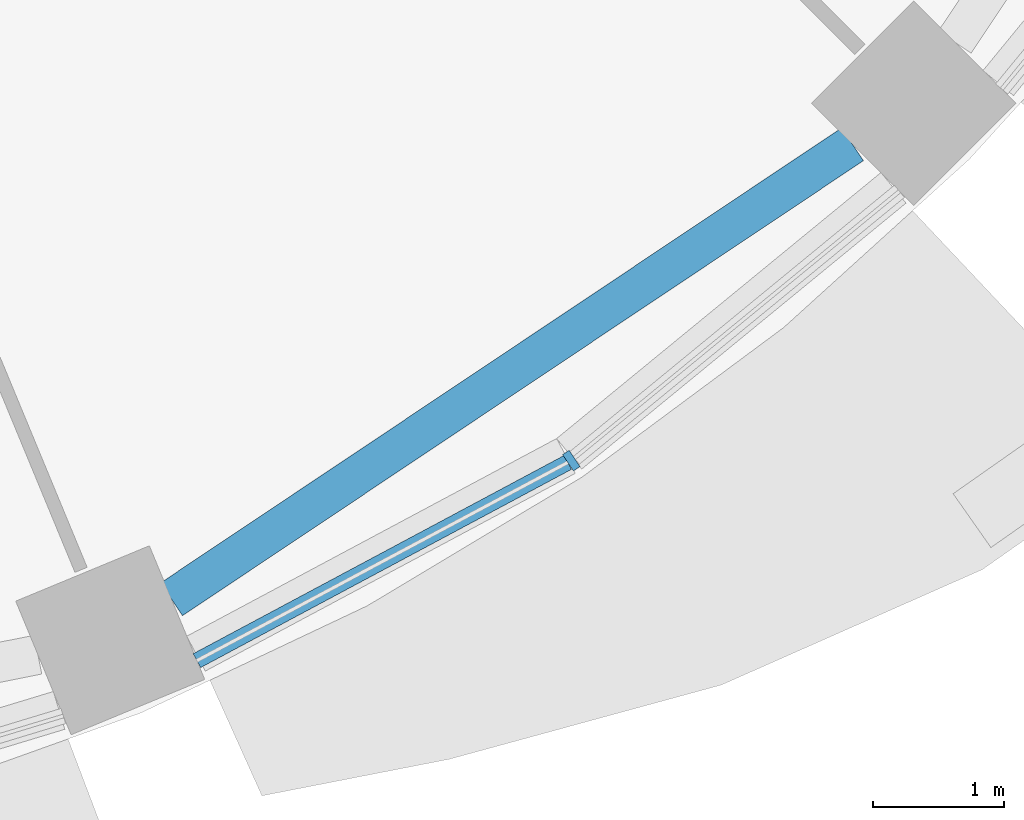
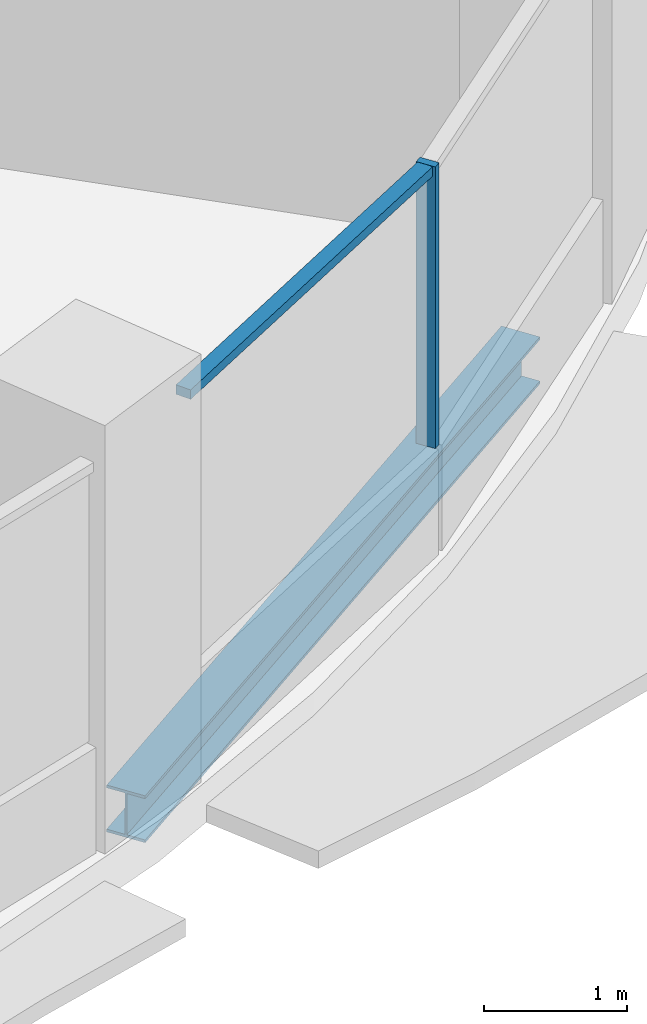
# One storey, part 3 of 15: 2 members, 1 beam, 1 element without a shape of its own.
"""IFC4 building model written with IfcOpenShell, lengths in metres."""

import ifcopenshell
import ifcopenshell.guid

model = None  # the IFC model being written
_history = None  # IfcOwnerHistory: only IFC2X3 demands one
_inside = {}  # id of a spatial element -> (the spatial element, [elements in it])
_under = {}  # id of a project, library or spatial element -> (it, [spatial elements below it])
_declared = {}  # id of a project -> (the project, [libraries it declares])
_typed = {}  # id of a type object -> (the type object, [elements of that type])
_made_of = {}  # id of a material, layer set ... -> (it, [elements and type objects made of it])


def new_model(schema):
    """Start an empty IFC model of exactly this schema.

    Asked for "IFC4X3", IfcOpenShell would pick the latest addendum, in which some entities
    have other attributes; the version numbers below select the first issue.
    IFC2X3 requires an IfcOwnerHistory on every rooted entity: one is made here for all.
    """
    global model, _history
    if schema == "IFC4X3":
        model = ifcopenshell.file(schema_version=(4, 3, 0, 0))
    else:
        model = ifcopenshell.file(schema=schema)
    _inside.clear()
    _under.clear()
    _declared.clear()
    _typed.clear()
    _made_of.clear()
    _history = None
    if model.schema == "IFC2X3":
        org = make("IfcOrganization", Name="unknown")
        user = make(
            "IfcPersonAndOrganization",
            ThePerson=make("IfcPerson", FamilyName="unknown"),
            TheOrganization=org,
        )
        app = make(
            "IfcApplication",
            ApplicationDeveloper=org,
            Version="unknown",
            ApplicationFullName="unknown",
            ApplicationIdentifier="unknown",
        )
        _history = make(
            "IfcOwnerHistory",
            OwningUser=user,
            OwningApplication=app,
            ChangeAction="ADDED",
            CreationDate=0,
        )
    return model


def make(cls, **values):
    """One entity of the class cls with the attributes given. An attribute that is None is left unset."""
    return model.create_entity(
        cls, **{name: value for name, value in values.items() if value is not None}
    )


def rooted(cls, **values):
    """An entity with a GlobalId (a new one), such as an element, a storey or a relation."""
    return make(cls, GlobalId=ifcopenshell.guid.new(), OwnerHistory=_history, **values)


def si_unit(unit_type, name, prefix=None):
    """IfcSIUnit, for example si_unit("LENGTHUNIT", "METRE", prefix="MILLI")."""
    return make("IfcSIUnit", UnitType=unit_type, Prefix=prefix, Name=name)


def assignment(units):
    """IfcUnitAssignment: the units of a project."""
    return None if units is None else make("IfcUnitAssignment", Units=units)


def point(xyz):
    """IfcCartesianPoint."""
    return None if xyz is None else make("IfcCartesianPoint", Coordinates=xyz)


def direction(xyz):
    """IfcDirection."""
    return None if xyz is None else make("IfcDirection", DirectionRatios=xyz)


def frame(location, z_axis=None, x_axis=None):
    """IfcAxis2Placement3D, a coordinate frame: its origin and axes. An axis left out is left unset."""
    return make(
        "IfcAxis2Placement3D",
        Location=point(location),
        Axis=direction(z_axis),
        RefDirection=direction(x_axis),
    )


def frame_2d(location, x_axis=None):
    """IfcAxis2Placement2D, a coordinate frame in the plane: its origin and x axis."""
    return make(
        "IfcAxis2Placement2D", Location=point(location), RefDirection=direction(x_axis)
    )


def origin():
    """The frame at (0, 0, 0) with its axes left unset."""
    return frame((0.0, 0.0, 0.0))


def origin_2d():
    """The frame at (0, 0) in the plane with its x axis left unset."""
    return frame_2d((0.0, 0.0))


def place(relative_to, where):
    """IfcLocalPlacement: puts the frame where relative to a parent placement (None: the world)."""
    return make(
        "IfcLocalPlacement", PlacementRelTo=relative_to, RelativePlacement=where
    )


def context(
    kind, dimensions, precision=None, world=None, true_north=None, identifier=None
):
    """IfcGeometricRepresentationContext, for example the 3D "Model" context."""
    return make(
        "IfcGeometricRepresentationContext",
        ContextIdentifier=identifier,
        ContextType=kind,
        CoordinateSpaceDimension=dimensions,
        Precision=precision,
        WorldCoordinateSystem=world,
        TrueNorth=true_north,
    )


def subcontext(parent, identifier, kind, view, scale=None):
    """IfcGeometricRepresentationSubContext, for example "Body" below "Model"."""
    return make(
        "IfcGeometricRepresentationSubContext",
        ContextIdentifier=identifier,
        ContextType=kind,
        ParentContext=parent,
        TargetScale=scale,
        TargetView=view,
    )


def project(units=None, contexts=None):
    """IfcProject with its units and contexts."""
    return rooted(
        "IfcProject",
        Name="project",
        RepresentationContexts=contexts,
        UnitsInContext=assignment(units),
    )


def spatial(cls, under=None, at=None, **own):
    """A site, building, storey or space (cls), placed at a placement, below another one or the project."""
    s = rooted(cls, ObjectPlacement=at, **own)
    if under is not None:
        _under.setdefault(under.id(), (under, []))[1].append(s)
    return s


def profile(cls, at=None, kind="AREA", **sizes):
    """A parametric profile (cls). Its sizes go by their IFC names, for example OverallWidth=200.0."""
    return make(cls, ProfileType=kind, Position=at, **sizes)


def rectangle(**sizes):
    """IfcRectangleProfileDef."""
    return profile("IfcRectangleProfileDef", **sizes)


def i_section(**sizes):
    """IfcIShapeProfileDef."""
    return profile("IfcIShapeProfileDef", **sizes)


def extrude(swept, where, along, depth):
    """IfcExtrudedAreaSolid: the profile swept, set in the frame where, extruded along a direction by depth."""
    return make(
        "IfcExtrudedAreaSolid",
        SweptArea=swept,
        Position=where,
        ExtrudedDirection=direction(along),
        Depth=depth,
    )


def shape(context_of_items, identifier, shape_type, items):
    """IfcShapeRepresentation: the items that make up one representation, for example the "Body"."""
    return make(
        "IfcShapeRepresentation",
        ContextOfItems=context_of_items,
        RepresentationIdentifier=identifier,
        RepresentationType=shape_type,
        Items=items,
    )


def material(Name=None, Category=None):
    """IfcMaterial."""
    return make("IfcMaterial", Name=Name, Category=Category)


def material_profile(
    of_material, cross_section, Name=None, Category=None, Priority=None
):
    """IfcMaterialProfile: a cross section and its material."""
    return make(
        "IfcMaterialProfile",
        Name=Name,
        Material=of_material,
        Profile=cross_section,
        Priority=Priority,
        Category=Category,
    )


def profile_set(profiles, Name=None, composite=None):
    """IfcMaterialProfileSet."""
    return make(
        "IfcMaterialProfileSet",
        Name=Name,
        MaterialProfiles=profiles,
        CompositeProfile=composite,
    )


def made_of(thing, what):
    """Note that an element or type object is made of a material, layer set ...; save() writes the relation."""
    if what is not None:
        _made_of.setdefault(what.id(), (what, []))[1].append(thing)
    return thing


def type_object(cls, material=None, **own):
    """A type object (cls), such as IfcWallType, which elements share."""
    return made_of(rooted(cls, **own), material)


def element(
    cls,
    number,
    at=None,
    inside=None,
    cuts=None,
    type_object=None,
    material=None,
    context=None,
    identifier="Body",
    shape_type=None,
    held_by="IfcProductDefinitionShape",
    body=None,
    shapes=None,
    **own,
):
    """One element of the class cls, such as IfcWall. Its Tag is "e" and its number.

    at: its placement. inside: the storey or other place that contains it. cuts: it is an
    opening in that element (IfcRelVoidsElement). A single representation is given by context,
    identifier, shape_type and body (its items); several are given by shapes. held_by: the class
    of the entity that holds the representations. save() writes the other relations.
    """
    e = rooted(cls, Tag="e%d" % number, ObjectPlacement=at, **own)
    if body is not None:
        shapes = [shape(context, identifier, shape_type, body)]
    if shapes is not None:
        e.Representation = make(held_by, Representations=shapes)
    if inside is not None:
        _inside.setdefault(inside.id(), (inside, []))[1].append(e)
    if cuts is not None:
        rooted(
            "IfcRelVoidsElement", RelatingBuildingElement=cuts, RelatedOpeningElement=e
        )
    if type_object is not None:
        _typed.setdefault(type_object.id(), (type_object, []))[1].append(e)
    return made_of(e, material)


def aggregate(whole, parts):
    """IfcRelAggregates: a whole, such as a stair, and the parts it consists of."""
    return rooted("IfcRelAggregates", RelatingObject=whole, RelatedObjects=parts)


def save(model, path):
    """Write the relations noted so far, then the file.

    IfcRelAggregates (storeys below a building ...), IfcRelContainedInSpatialStructure (elements
    in a storey), IfcRelDefinesByType, IfcRelAssociatesMaterial and IfcRelDeclares: one each for
    every whole, place, type object, material and project.
    """
    for whole, parts in _under.values():
        aggregate(whole, parts)
    for where, things in _inside.values():
        rooted(
            "IfcRelContainedInSpatialStructure",
            RelatedElements=things,
            RelatingStructure=where,
        )
    for kind, things in _typed.values():
        rooted("IfcRelDefinesByType", RelatedObjects=things, RelatingType=kind)
    for what, things in _made_of.values():
        rooted("IfcRelAssociatesMaterial", RelatedObjects=things, RelatingMaterial=what)
    for by, libraries in _declared.values():
        rooted("IfcRelDeclares", RelatingContext=by, RelatedDefinitions=libraries)
    model.write(path)


model = new_model("IFC4")

# Units and contexts
model_context = context("Model", 3, precision=1e-05, world=origin(), true_north=direction((0.0, 1.0)))
body_context = subcontext(model_context, "Body", "Model", "MODEL_VIEW")
ifc_project = project(units=[si_unit("LENGTHUNIT", "METRE"), si_unit("AREAUNIT", "SQUARE_METRE"), si_unit("VOLUMEUNIT", "CUBIC_METRE"), si_unit("PLANEANGLEUNIT", "RADIAN"), si_unit("MASSUNIT", "GRAM", prefix="KILO")], contexts=[model_context])

# Site, building, storey
site_placement = place(None, origin())
site = spatial("IfcSite", under=ifc_project, at=site_placement, CompositionType="ELEMENT")
building_placement = place(site_placement, origin())
building = spatial("IfcBuilding", under=site, at=building_placement, Name="Polderwave Tower", CompositionType="ELEMENT")
storey_placement = place(building_placement, frame((0.0, 0.0, 72.75)))
storey = spatial("IfcBuildingStorey", under=building, at=storey_placement, Name="L18", CompositionType="ELEMENT", Elevation=72.75)

# Curtain wall, members
ifc_material_1 = material(Name="Aluminium 6063-T6 and glass", Category="aluminium")
curtain_wall_type = type_object("IfcCurtainWallType", Name="Growing floor ribbon glazing wall", PredefinedType="NOTDEFINED", material=ifc_material_1)
curtain_wall_placement = place(storey_placement, origin())
curtain_wall = element("IfcCurtainWall", 1, at=curtain_wall_placement, inside=storey, type_object=curtain_wall_type, Name="CW2 L18 13", PredefinedType="NOTDEFINED")
ifc_material_2 = material(Name="Aluminium 6063-T6", Category="aluminium")
ifc_material_profile_1 = material_profile(ifc_material_2, rectangle(XDim=0.14990234375, YDim=0.06005859375, at=origin_2d()), Name="AL 60x150")
ifc_profile_set_1 = profile_set([ifc_material_profile_1], Name="Aluminium 6063-T6")
member_type_1 = type_object("IfcMemberType", Name="Growing floor ribbon glazing mullion 60x150", PredefinedType="MULLION", material=ifc_profile_set_1)
member_1_placement = place(storey_placement, frame((10.717041015625, -16.0390625, 0.89990234375), z_axis=(0.0, 0.0, 1.0), x_axis=(-0.555496220219, 0.831519061311, 0.0)))
member_1 = element("IfcMember", 2, at=member_1_placement, type_object=member_type_1, Name="CW2 mullion 1", PredefinedType="MULLION", context=body_context, shape_type="SweptSolid", body=[
    extrude(rectangle(XDim=0.14990234375, YDim=0.06005859375, at=origin_2d()), origin(), (0.0, 0.0, 1.0), 2.400146484375),
])
ifc_material_profile_2 = material_profile(ifc_material_2, rectangle(XDim=0.1201171875, YDim=0.080078125, at=origin_2d()), Name="AL 80x120")
ifc_profile_set_2 = profile_set([ifc_material_profile_2], Name="Aluminium 6063-T6")
member_type_2 = type_object("IfcMemberType", Name="Growing floor ribbon glazing transom 80x120", PredefinedType="USERDEFINED", material=ifc_profile_set_2)
member_2_placement = place(storey_placement, frame((7.868896484375, -17.56103515625, 3.260009765625), z_axis=(0.881932215645, 0.471376247819, 0.0), x_axis=(-0.471376247819, 0.881932215645, 0.0)))
member_2 = element("IfcMember", 3, at=member_2_placement, type_object=member_type_2, Name="CW2 transom 1", ObjectType="TRANSOM", PredefinedType="USERDEFINED", context=body_context, shape_type="SweptSolid", body=[
    extrude(rectangle(XDim=0.1201171875, YDim=0.080078125, at=origin_2d()), origin(), (0.0, 0.0, 1.0), 3.19921875),
])
aggregate(curtain_wall, [member_1, member_2])

# Beam
ifc_material_3 = material(Name="Steel S355", Category="steel")
ifc_material_profile_3 = material_profile(ifc_material_3, i_section(OverallWidth=0.300048828125, OverallDepth=0.39990234375, WebThickness=0.013427734375, FlangeThickness=0.02392578125, at=origin_2d()), Name="HE 400 B")
ifc_profile_set_3 = profile_set([ifc_material_profile_3], Name="Steel S355")
beam_type = type_object("IfcBeamType", Name="RING BEAM HE 400 B", PredefinedType="BEAM", material=ifc_profile_set_3)
beam_placement = place(storey_placement, frame((7.676025390625, -17.09423828125, -0.550048828125), z_axis=(0.831489127752, 0.555541024975, 0.0), x_axis=(-0.555541024975, 0.831489127752, 0.0)))
element("IfcBeam", 4, at=beam_placement, inside=storey, type_object=beam_type, Name="ST-RB-L18-13", PredefinedType="BEAM", context=body_context, shape_type="SweptSolid", body=[
    extrude(i_section(OverallWidth=0.300048828125, OverallDepth=0.39990234375, WebThickness=0.013427734375, FlangeThickness=0.02392578125, at=origin_2d()), origin(), (0.0, 0.0, 1.0), 6.2294921875),
])

save(model, "model.ifc")
